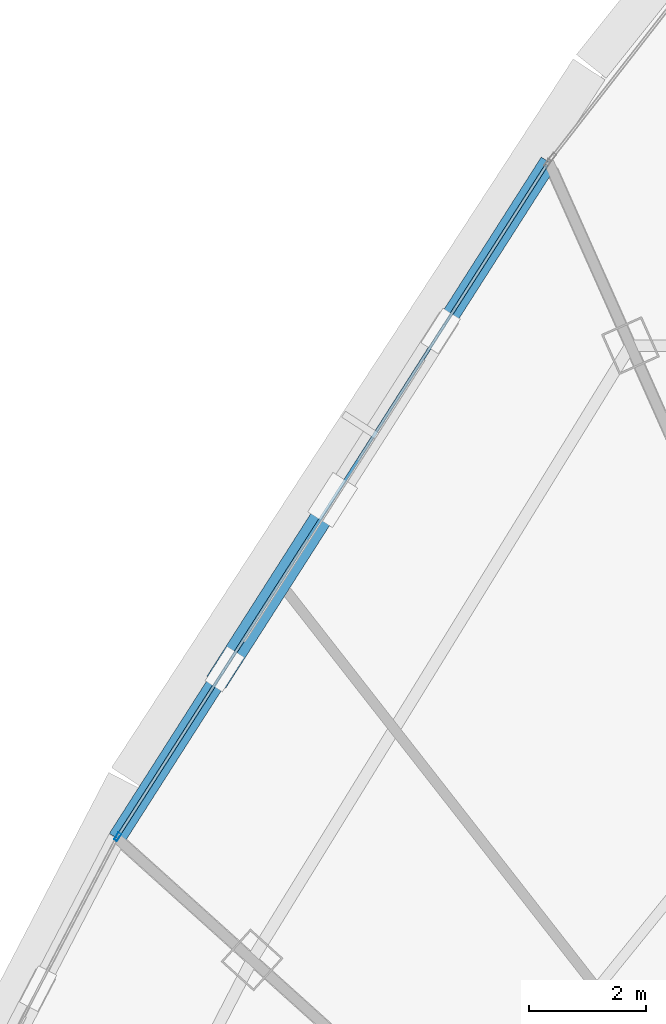
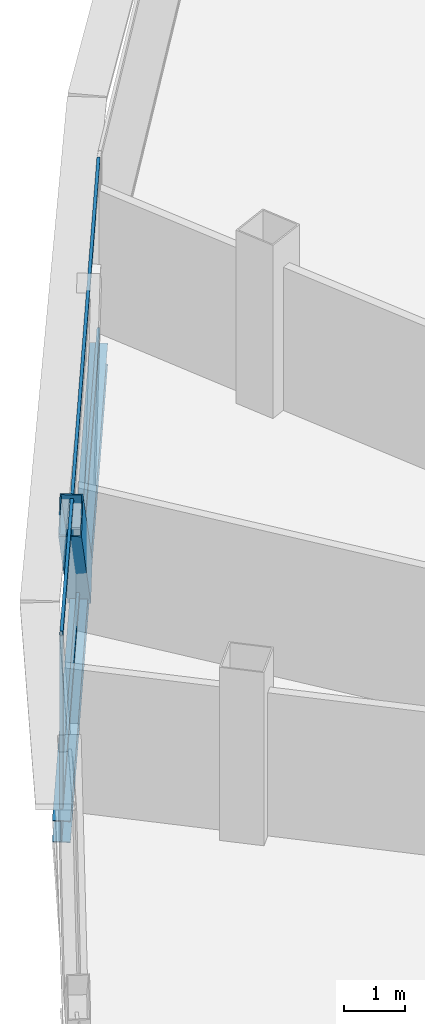
# One storey, part 17 of 37: 4 members, 1 beam, 1 element without a shape of its own.
"""IFC4 building model written with IfcOpenShell, lengths in metres."""

from ifc_helpers import new_model, si_unit, direction, frame, origin, origin_2d, place, context, subcontext, project, spatial, hollow_rectangle, i_section, extrude, source, transform, mapped, material, layer, layer_set, material_profile, profile_set, type_object, element, aggregate, save


model = new_model("IFC4")

# Units and contexts
model_context = context("Model", 3, precision=1e-05, world=origin(), true_north=direction((0.0, 1.0)))
body_context = subcontext(model_context, "Body", "Model", "MODEL_VIEW")
ifc_project = project(units=[si_unit("LENGTHUNIT", "METRE"), si_unit("AREAUNIT", "SQUARE_METRE"), si_unit("VOLUMEUNIT", "CUBIC_METRE"), si_unit("PLANEANGLEUNIT", "RADIAN"), si_unit("MASSUNIT", "GRAM", prefix="KILO"), si_unit("THERMODYNAMICTEMPERATUREUNIT", "KELVIN"), si_unit("POWERUNIT", "WATT")], contexts=[model_context])

# Site, building, storey
site_placement = place(None, origin())
site = spatial("IfcSite", under=ifc_project, at=site_placement, CompositionType="ELEMENT")
building_placement = place(site_placement, origin())
building = spatial("IfcBuilding", under=site, at=building_placement, Name="Yunzhuo Pagoda Commons", CompositionType="ELEMENT")
storey_placement = place(building_placement, frame((0.0, 0.0, 281.2900390625)))
storey = spatial("IfcBuildingStorey", under=building, at=storey_placement, Name="L70", CompositionType="ELEMENT", Elevation=281.2900390625)

# Beam
ifc_material_1 = material(Name="Structural steel Q355B", Category="steel")
ifc_material_profile_1 = material_profile(ifc_material_1, i_section(OverallWidth=0.300048828125, OverallDepth=0.43994140625, WebThickness=0.010986328125, FlangeThickness=0.01806640625, at=origin_2d()), Name="Structural steel Q355B")
ifc_profile_set_1 = profile_set([ifc_material_profile_1], Name="Structural steel Q355B")
beam_type = type_object("IfcBeamType", Name="B-SP2 Beam HM 440x300x11x18", PredefinedType="BEAM", material=ifc_profile_set_1)
shared_shape_1 = source(origin(), body_context, "Body", "SweptSolid", [
    extrude(i_section(OverallWidth=0.300048828125, OverallDepth=0.43994140625, WebThickness=0.010986328125, FlangeThickness=0.01806640625, at=origin_2d()), origin(), (0.0, 0.0, 1.0), 13.696044921875),
])
beam_placement = place(storey_placement, frame((34.4892578125, 64.045654296875, -0.47998046875), z_axis=(-0.538249671817, -0.842785435795, 0.0), x_axis=(0.842785435795, -0.538249671817, 0.0)))
element("IfcBeam", 1, at=beam_placement, inside=storey, type_object=beam_type, Name="L70 facade edge spandrel beam F3.1", PredefinedType="BEAM", context=body_context, shape_type="MappedRepresentation", body=[
    mapped(shared_shape_1, transform((0.0, 0.0, 0.0), scale=1.0)),
])

# Member
ifc_material_profile_2 = material_profile(ifc_material_1, hollow_rectangle(XDim=0.3798828125, YDim=0.719970703125, WallThickness=0.02001953125, at=origin_2d()), Name="Structural steel Q355B")
ifc_profile_set_2 = profile_set([ifc_material_profile_2], Name="Structural steel Q355B")
member_type_1 = type_object("IfcMemberType", Name="M-DL3 Brace BOX 720x380x20", PredefinedType="BRACE", material=ifc_profile_set_2)
shared_shape_2 = source(origin(), body_context, "Body", "SweptSolid", [
    extrude(hollow_rectangle(XDim=0.3798828125, YDim=0.719970703125, WallThickness=0.02001953125, at=origin_2d()), origin(), (0.0, 0.0, 1.0), 5.063232421875),
])
member_1_placement = place(storey_placement, frame((30.80322265625, 58.274169921875, -0.260009765625), z_axis=(-0.36400555644, -0.569900870519, 0.736690540637), x_axis=(0.842761854784, -0.538286592924, 0.0)))
element("IfcMember", 2, at=member_1_placement, inside=storey, type_object=member_type_1, Name="L70 facade diamond brace F3.1R", PredefinedType="BRACE", context=body_context, shape_type="MappedRepresentation", body=[
    mapped(shared_shape_2, transform((0.0, 0.0, 0.0), scale=1.0)),
])

# Curtain wall, members
ifc_material_2 = material(Name="Anodized aluminium 6063-T6", Category="aluminium")
ifc_layer = layer(ifc_material_2, 0.139892578125)
ifc_layer_set = layer_set([ifc_layer], Name="Anodized aluminium 6063-T6")
curtain_wall_type = type_object("IfcCurtainWallType", Name="CW-HI High-Zone Ribbon Curtain Wall", PredefinedType="NOTDEFINED", material=ifc_layer_set)
curtain_wall_placement = place(storey_placement, origin())
curtain_wall = element("IfcCurtainWall", 3, at=curtain_wall_placement, inside=storey, type_object=curtain_wall_type, Name="L70 curtain wall CW-L70-F3B2", PredefinedType="NOTDEFINED")
ifc_material_profile_3 = material_profile(ifc_material_2, hollow_rectangle(XDim=0.06005859375, YDim=0.139892578125, WallThickness=0.00341796875, at=origin_2d()), Name="Anodized aluminium 6063-T6")
ifc_profile_set_3 = profile_set([ifc_material_profile_3], Name="Anodized aluminium 6063-T6")
member_type_2 = type_object("IfcMemberType", Name="CW-HI-M Mullion RHS 140x60x3.5", PredefinedType="MULLION", material=ifc_profile_set_3)
shared_shape_3 = source(origin(), body_context, "Body", "SweptSolid", [
    extrude(hollow_rectangle(XDim=0.06005859375, YDim=0.139892578125, WallThickness=0.00341796875, at=origin_2d()), origin(), (0.0, 0.0, 1.0), 3.469970703125),
])
member_2_placement = place(storey_placement, frame((27.133544921875, 52.528076171875, 0.0), z_axis=(0.0, 0.0, 1.0), x_axis=(0.842779157761, -0.538259501768, 0.0)))
member_2 = element("IfcMember", 4, at=member_2_placement, type_object=member_type_2, Name="CW mullion 2", PredefinedType="MULLION", context=body_context, shape_type="MappedRepresentation", body=[
    mapped(shared_shape_3, transform((0.0, 0.0, 0.0), scale=1.0)),
])
ifc_material_profile_4 = material_profile(ifc_material_2, hollow_rectangle(XDim=0.054931640625, YDim=0.1201171875, WallThickness=0.00341796875, at=origin_2d()), Name="Anodized aluminium 6063-T6")
ifc_profile_set_4 = profile_set([ifc_material_profile_4], Name="Anodized aluminium 6063-T6")
member_type_3 = type_object("IfcMemberType", Name="CW-HI-T Transom RHS 120x55x3.5", PredefinedType="USERDEFINED", material=ifc_profile_set_4)
shared_shape_4 = source(origin(), body_context, "Body", "SweptSolid", [
    extrude(hollow_rectangle(XDim=0.054931640625, YDim=0.1201171875, WallThickness=0.00341796875, at=origin_2d()), origin(), (0.0, 0.0, 1.0), 13.575927734375),
])
member_3_placement = place(storey_placement, frame((34.45703125, 63.9951171875, 0.02734375), z_axis=(-0.538254824974, -0.84278214468, 0.0), x_axis=(0.84278214468, -0.538254824974, 0.0)))
member_3 = element("IfcMember", 5, at=member_3_placement, type_object=member_type_3, Name="CW transom 1.1", ObjectType="TRANSOM", PredefinedType="USERDEFINED", context=body_context, shape_type="MappedRepresentation", body=[
    mapped(shared_shape_4, transform((0.0, 0.0, 0.0), scale=1.0)),
])
member_4_placement = place(storey_placement, frame((34.45703125, 63.9951171875, 3.4423828125), z_axis=(-0.538254824974, -0.84278214468, 0.0), x_axis=(0.84278214468, -0.538254824974, 0.0)))
member_4 = element("IfcMember", 6, at=member_4_placement, type_object=member_type_3, Name="CW transom 1.2", ObjectType="TRANSOM", PredefinedType="USERDEFINED", context=body_context, shape_type="MappedRepresentation", body=[
    mapped(shared_shape_4, transform((0.0, 0.0, 0.0), scale=1.0)),
])
aggregate(curtain_wall, [member_2, member_3, member_4])

save(model, "model.ifc")
